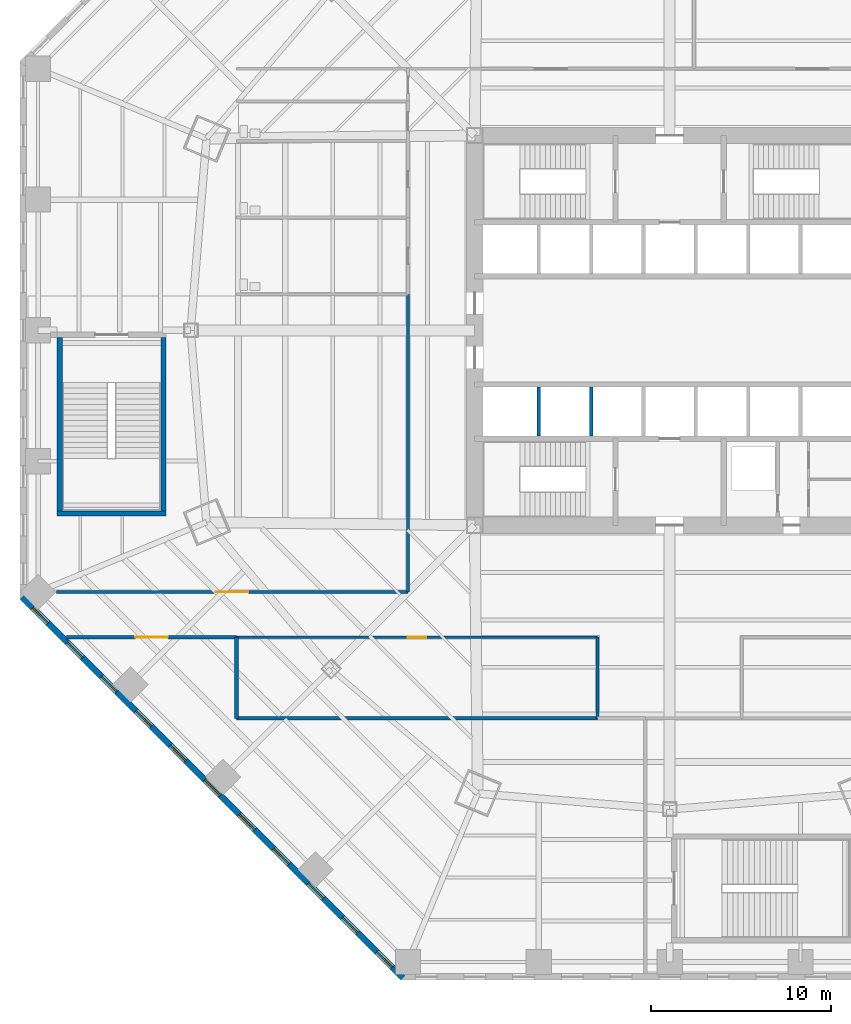
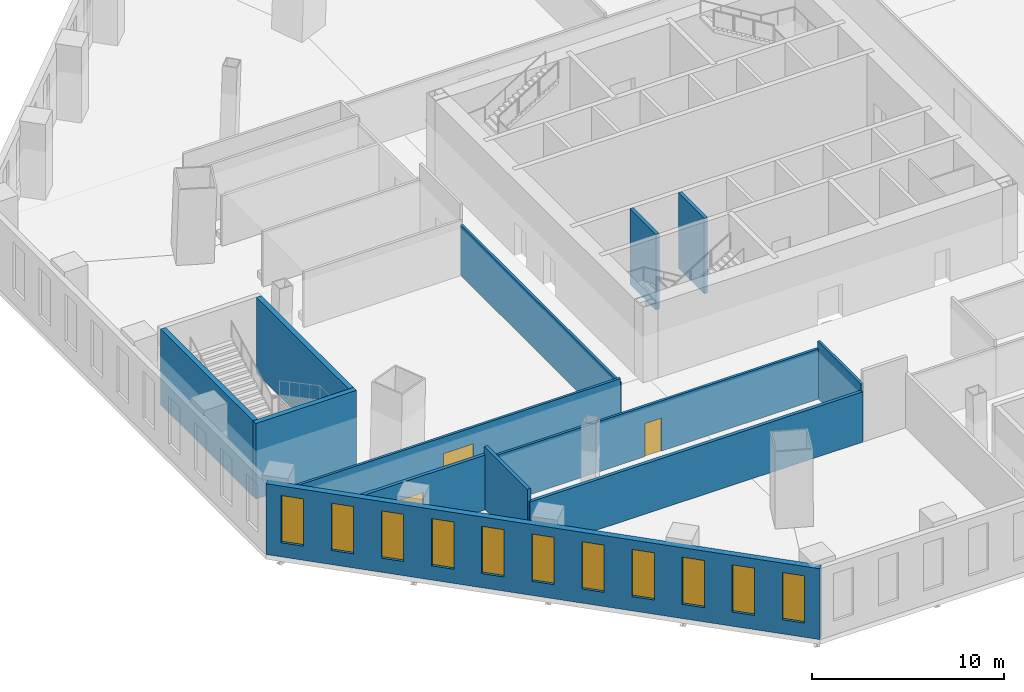
# One storey, part 8 of 19: 13 walls, 11 windows, 3 doors, 14 openings.
"""IFC4 building model written with IfcOpenShell, lengths in metres."""

from ifc_helpers import new_model, si_unit, direction, frame, frame_2d, origin, place, context, subcontext, project, spatial, rectangle, extrude, material, layer, layer_set, type_object, element, fill, save


model = new_model("IFC4")

# Units and contexts
model_context = context("Model", 3, precision=1e-05, world=origin(), true_north=direction((0.0, 1.0)))
body_context = subcontext(model_context, "Body", "Model", "MODEL_VIEW")
ifc_project = project(units=[si_unit("LENGTHUNIT", "METRE"), si_unit("AREAUNIT", "SQUARE_METRE"), si_unit("VOLUMEUNIT", "CUBIC_METRE"), si_unit("PLANEANGLEUNIT", "RADIAN"), si_unit("MASSUNIT", "GRAM", prefix="KILO")], contexts=[model_context])

# Site, building, storey
site_placement = place(None, origin())
site = spatial("IfcSite", under=ifc_project, at=site_placement, CompositionType="ELEMENT")
building_placement = place(site_placement, origin())
building = spatial("IfcBuilding", under=site, at=building_placement, Name="Mashrafa Tower", CompositionType="ELEMENT")
storey_placement = place(building_placement, frame((0.0, 0.0, 24.0)))
storey = spatial("IfcBuildingStorey", under=building, at=storey_placement, Name="L04", CompositionType="ELEMENT", Elevation=24.0)

# Walls
ifc_material_1 = material(Name="Concrete masonry unit", Category="masonry")
ifc_layer_1 = layer(ifc_material_1, 0.199951171875)
ifc_layer_set_1 = layer_set([ifc_layer_1], Name="Blockwork wall 200 2 hr")
wall_type_1 = type_object("IfcWallType", Name="Blockwork wall 200 2 hr", PredefinedType="PARTITIONING", material=ifc_layer_set_1)
wall_1_placement = place(storey_placement, frame((-3.9990234375, -21.5, 0.0), z_axis=(0.0, 0.0, 1.0), x_axis=(-1.0, 0.0, 0.0)))
element("IfcWall", 1, at=wall_1_placement, inside=storey, type_object=wall_type_1, Name="Blockwork wall L04-011", PredefinedType="PARTITIONING", context=body_context, shape_type="SweptSolid", body=[
    extrude(rectangle(XDim=20.0009765625, YDim=0.199951171875, at=frame_2d((10.00048828125, 0.0))), origin(), (0.0, 0.0, 1.0), 3.18994140625),
])
wall_2_placement = place(storey_placement, frame((-24.0, -21.5, 0.0), z_axis=(0.0, 0.0, 1.0), x_axis=(0.0, 1.0, 0.0)))
element("IfcWall", 2, at=wall_2_placement, inside=storey, type_object=wall_type_1, Name="Blockwork wall L04-012", PredefinedType="PARTITIONING", context=body_context, shape_type="SweptSolid", body=[
    extrude(rectangle(XDim=4.5, YDim=0.199951171875, at=frame_2d((2.25, 0.0))), origin(), (0.0, 0.0, 1.0), 3.961669921875),
])

# Wall, opening, door
wall_3_placement = place(storey_placement, frame((-24.0, -17.0, 0.0), z_axis=(0.0, 0.0, 1.0), x_axis=(-1.0, 0.0, 0.0)))
wall_3 = element("IfcWall", 3, at=wall_3_placement, inside=storey, type_object=wall_type_1, Name="Blockwork wall L04-013", PredefinedType="PARTITIONING", context=body_context, shape_type="SweptSolid", body=[
    extrude(rectangle(XDim=9.416748046875, YDim=0.199951171875, at=frame_2d((4.70849609375, 0.0))), origin(), (0.0, 0.0, 1.0), 3.47900390625),
])
opening_1_placement = place(wall_3_placement, frame((3.808349609375, 0.0, 0.0)))
opening_1 = element("IfcOpeningElement", 4, at=opening_1_placement, cuts=wall_3, Name="Opening 04.005", PredefinedType="OPENING", context=body_context, shape_type="SweptSolid", body=[
    extrude(rectangle(XDim=1.800048828125, YDim=2.39990234375, at=frame_2d((0.89990234375, 1.199951171875))), frame((0.0, 0.10986328125, 0.0), z_axis=(0.0, -1.0, 0.0), x_axis=(1.0, 0.0, 0.0)), (0.0, 0.0, 1.0), 0.219970703125),
])
ifc_material_2 = material(Name="Steel door", Category="steel")
door_type_1 = type_object("IfcDoorType", Name="Door pair 1800 x 2400 90 min", OperationType="DOUBLE_DOOR_SINGLE_SWING", PredefinedType="DOOR", material=ifc_material_2)
door_1_placement = place(opening_1_placement, origin())
door_1 = element("IfcDoor", 5, at=door_1_placement, inside=storey, type_object=door_type_1, Name="Podium Plant Room L04 door", OperationType="DOUBLE_DOOR_SINGLE_SWING", OverallHeight=2.39990234375, OverallWidth=1.800048828125, PredefinedType="DOOR", context=body_context, shape_type="SweptSolid", body=[
    extrude(rectangle(XDim=1.800048828125, YDim=2.39990234375, at=frame_2d((0.89990234375, 1.199951171875))), frame((0.0, 0.02490234375, 0.0), z_axis=(0.0, -1.0, 0.0), x_axis=(1.0, 0.0, 0.0)), (0.0, 0.0, 1.0), 0.050048828125),
])
fill(opening_1, door_1)

ifc_material_3 = material(Name="Gypsum board on steel studs", Category="steel")
ifc_layer_2 = layer(ifc_material_3, 0.14990234375)
ifc_layer_set_2 = layer_set([ifc_layer_2], Name="Corridor partition 150 1 hr")
wall_type_2 = type_object("IfcWallType", Name="Corridor partition 150 1 hr", PredefinedType="PARTITIONING", material=ifc_layer_set_2)
wall_4_placement = place(storey_placement, frame((-33.985595703125, -14.5, 0.0), z_axis=(0.0, 0.0, 1.0), x_axis=(1.0, 0.0, 0.0)))
wall_4 = element("IfcWall", 6, at=wall_4_placement, inside=storey, type_object=wall_type_2, Name="Corridor wall L04-019", PredefinedType="PARTITIONING", context=body_context, shape_type="SweptSolid", body=[
    extrude(rectangle(XDim=19.485595703125, YDim=0.14990234375, at=frame_2d((9.74267578125, 0.0))), origin(), (0.0, 0.0, 1.0), 3.448486328125),
])
opening_2_placement = place(wall_4_placement, frame((8.843017578125, 0.0, 0.0)))
opening_2 = element("IfcOpeningElement", 7, at=opening_2_placement, cuts=wall_4, Name="Opening 04.007", PredefinedType="OPENING", context=body_context, shape_type="SweptSolid", body=[
    extrude(rectangle(XDim=1.800048828125, YDim=2.39990234375, at=frame_2d((0.89990234375, 1.199951171875))), frame((0.0, 0.0849609375, 0.0), z_axis=(0.0, -1.0, 0.0), x_axis=(1.0, 0.0, 0.0)), (0.0, 0.0, 1.0), 0.169921875),
])
ifc_material_4 = material(Name="Timber door", Category="wood")
door_type_2 = type_object("IfcDoorType", Name="Door pair 1800 x 2400", OperationType="DOUBLE_DOOR_SINGLE_SWING", PredefinedType="DOOR", material=ifc_material_4)
door_2_placement = place(opening_2_placement, origin())
door_2 = element("IfcDoor", 8, at=door_2_placement, inside=storey, type_object=door_type_2, Name="Civic Meeting Room L04 door", OperationType="DOUBLE_DOOR_SINGLE_SWING", OverallHeight=2.39990234375, OverallWidth=1.800048828125, PredefinedType="DOOR", context=body_context, shape_type="SweptSolid", body=[
    extrude(rectangle(XDim=1.800048828125, YDim=2.39990234375, at=frame_2d((0.89990234375, 1.199951171875))), frame((0.0, 0.02490234375, 0.0), z_axis=(0.0, -1.0, 0.0), x_axis=(1.0, 0.0, 0.0)), (0.0, 0.0, 1.0), 0.050048828125),
])
fill(opening_2, door_2)

# Walls
wall_5_placement = place(storey_placement, frame((-14.5, -14.5, 0.0), z_axis=(0.0, 0.0, 1.0), x_axis=(0.0, 1.0, 0.0)))
element("IfcWall", 9, at=wall_5_placement, inside=storey, type_object=wall_type_2, Name="Corridor wall L04-020", PredefinedType="PARTITIONING", context=body_context, shape_type="SweptSolid", body=[
    extrude(rectangle(XDim=16.5, YDim=0.14990234375, at=frame_2d((8.25, 0.0))), origin(), (0.0, 0.0, 1.0), 3.18994140625),
])
wall_6_placement = place(storey_placement, frame((-4.0, -21.5, 0.0), z_axis=(0.0, 0.0, 1.0), x_axis=(0.0, 1.0, 0.0)))
element("IfcWall", 10, at=wall_6_placement, inside=storey, type_object=wall_type_2, Name="Corridor wall L04-027", PredefinedType="PARTITIONING", context=body_context, shape_type="SweptSolid", body=[
    extrude(rectangle(XDim=4.5, YDim=0.14990234375, at=frame_2d((2.25, 0.0))), origin(), (0.0, 0.0, 1.0), 3.644287109375),
])

# Wall, opening, door
wall_7_placement = place(storey_placement, frame((-4.0, -17.0, 0.0), z_axis=(0.0, 0.0, 1.0), x_axis=(-1.0, 0.0, 0.0)))
wall_7 = element("IfcWall", 11, at=wall_7_placement, inside=storey, type_object=wall_type_2, Name="Corridor wall L04-028", PredefinedType="PARTITIONING", context=body_context, shape_type="SweptSolid", body=[
    extrude(rectangle(XDim=20.0, YDim=0.14990234375, at=frame_2d((10.0, 0.0))), origin(), (0.0, 0.0, 1.0), 3.18994140625),
])
opening_3_placement = place(wall_7_placement, frame((9.5, 0.0, 0.0)))
opening_3 = element("IfcOpeningElement", 12, at=opening_3_placement, cuts=wall_7, Name="Opening 04.011", PredefinedType="OPENING", context=body_context, shape_type="SweptSolid", body=[
    extrude(rectangle(XDim=1.0, YDim=2.10009765625, at=frame_2d((0.5, 1.050048828125))), frame((0.0, 0.0849609375, 0.0), z_axis=(0.0, -1.0, 0.0), x_axis=(1.0, 0.0, 0.0)), (0.0, 0.0, 1.0), 0.169921875),
])
ifc_material_5 = material(Name="Timber door", Category="wood")
door_type_3 = type_object("IfcDoorType", Name="Door 1000 x 2100", OperationType="USERDEFINED", PredefinedType="DOOR", material=ifc_material_5)
door_3_placement = place(opening_3_placement, origin())
door_3 = element("IfcDoor", 13, at=door_3_placement, inside=storey, type_object=door_type_3, Name="Civic Interview Room L04 door", OperationType="SINGLE_SWING_LEFT", OverallHeight=2.10009765625, OverallWidth=1.0, PredefinedType="DOOR", context=body_context, shape_type="SweptSolid", body=[
    extrude(rectangle(XDim=1.0, YDim=2.10009765625, at=frame_2d((0.5, 1.050048828125))), frame((0.0, 0.02490234375, 0.0), z_axis=(0.0, -1.0, 0.0), x_axis=(1.0, 0.0, 0.0)), (0.0, 0.0, 1.0), 0.050048828125),
])
fill(opening_3, door_3)

# Wall, openings, windows
ifc_material_6 = material(Name="Riyadh limestone cladding on blockwork", Category="masonry")
ifc_layer_3 = layer(ifc_material_6, 0.35009765625)
ifc_layer_set_3 = layer_set([ifc_layer_3], Name="Limestone-clad external wall 350")
wall_type_3 = type_object("IfcWallType", Name="Limestone-clad external wall 350", PredefinedType="SOLIDWALL", material=ifc_layer_set_3)
wall_8_placement = place(storey_placement, frame((-35.876220703125, -14.787841796875, 0.0), z_axis=(0.0, 0.0, 1.0), x_axis=(0.707106781187, -0.707106781187, 0.0)))
wall_8 = element("IfcWall", 14, at=wall_8_placement, inside=storey, type_object=wall_type_3, Name="Limestone-clad external wall L04 south-west", PredefinedType="SOLIDWALL", context=body_context, shape_type="SweptSolid", body=[
    extrude(rectangle(XDim=29.823486328125, YDim=0.35009765625, at=frame_2d((14.91162109375, 0.0))), origin(), (0.0, 0.0, 1.0), 4.5),
])
opening_4_placement = place(wall_8_placement, frame((0.821533203125, 0.0, 0.89990234375)))
opening_4 = element("IfcOpeningElement", 15, at=opening_4_placement, cuts=wall_8, Name="Opening W3", PredefinedType="OPENING", context=body_context, shape_type="SweptSolid", body=[
    extrude(rectangle(XDim=1.199951171875, YDim=3.0, at=frame_2d((0.60009765625, 1.5))), frame((0.0, 0.18505859375, 0.0), z_axis=(0.0, -1.0, 0.0), x_axis=(1.0, 0.0, 0.0)), (0.0, 0.0, 1.0), 0.3701171875),
])
opening_5_placement = place(wall_8_placement, frame((3.51953125, 0.0, 0.89990234375)))
opening_5 = element("IfcOpeningElement", 16, at=opening_5_placement, cuts=wall_8, Name="Opening W3", PredefinedType="OPENING", context=body_context, shape_type="SweptSolid", body=[
    extrude(rectangle(XDim=1.199951171875, YDim=3.0, at=frame_2d((0.60009765625, 1.5))), frame((0.0, 0.18505859375, 0.0), z_axis=(0.0, -1.0, 0.0), x_axis=(1.0, 0.0, 0.0)), (0.0, 0.0, 1.0), 0.3701171875),
])
opening_6_placement = place(wall_8_placement, frame((6.217529296875, 0.0, 0.89990234375)))
opening_6 = element("IfcOpeningElement", 17, at=opening_6_placement, cuts=wall_8, Name="Opening W3", PredefinedType="OPENING", context=body_context, shape_type="SweptSolid", body=[
    extrude(rectangle(XDim=1.199951171875, YDim=3.0, at=frame_2d((0.60009765625, 1.5))), frame((0.0, 0.18505859375, 0.0), z_axis=(0.0, -1.0, 0.0), x_axis=(1.0, 0.0, 0.0)), (0.0, 0.0, 1.0), 0.3701171875),
])
opening_7_placement = place(wall_8_placement, frame((8.91552734375, 0.0, 0.89990234375)))
opening_7 = element("IfcOpeningElement", 18, at=opening_7_placement, cuts=wall_8, Name="Opening W3", PredefinedType="OPENING", context=body_context, shape_type="SweptSolid", body=[
    extrude(rectangle(XDim=1.199951171875, YDim=3.0, at=frame_2d((0.60009765625, 1.5))), frame((0.0, 0.18505859375, 0.0), z_axis=(0.0, -1.0, 0.0), x_axis=(1.0, 0.0, 0.0)), (0.0, 0.0, 1.0), 0.3701171875),
])
opening_8_placement = place(wall_8_placement, frame((11.61376953125, 0.0, 0.89990234375)))
opening_8 = element("IfcOpeningElement", 19, at=opening_8_placement, cuts=wall_8, Name="Opening W3", PredefinedType="OPENING", context=body_context, shape_type="SweptSolid", body=[
    extrude(rectangle(XDim=1.199951171875, YDim=3.0, at=frame_2d((0.60009765625, 1.5))), frame((0.0, 0.18505859375, 0.0), z_axis=(0.0, -1.0, 0.0), x_axis=(1.0, 0.0, 0.0)), (0.0, 0.0, 1.0), 0.3701171875),
])
opening_9_placement = place(wall_8_placement, frame((14.311767578125, 0.0, 0.89990234375)))
opening_9 = element("IfcOpeningElement", 20, at=opening_9_placement, cuts=wall_8, Name="Opening W3", PredefinedType="OPENING", context=body_context, shape_type="SweptSolid", body=[
    extrude(rectangle(XDim=1.199951171875, YDim=3.0, at=frame_2d((0.60009765625, 1.5))), frame((0.0, 0.18505859375, 0.0), z_axis=(0.0, -1.0, 0.0), x_axis=(1.0, 0.0, 0.0)), (0.0, 0.0, 1.0), 0.3701171875),
])
opening_10_placement = place(wall_8_placement, frame((17.009765625, 0.0, 0.89990234375)))
opening_10 = element("IfcOpeningElement", 21, at=opening_10_placement, cuts=wall_8, Name="Opening W3", PredefinedType="OPENING", context=body_context, shape_type="SweptSolid", body=[
    extrude(rectangle(XDim=1.199951171875, YDim=3.0, at=frame_2d((0.60009765625, 1.5))), frame((0.0, 0.18505859375, 0.0), z_axis=(0.0, -1.0, 0.0), x_axis=(1.0, 0.0, 0.0)), (0.0, 0.0, 1.0), 0.3701171875),
])
opening_11_placement = place(wall_8_placement, frame((19.707763671875, 0.0, 0.89990234375)))
opening_11 = element("IfcOpeningElement", 22, at=opening_11_placement, cuts=wall_8, Name="Opening W3", PredefinedType="OPENING", context=body_context, shape_type="SweptSolid", body=[
    extrude(rectangle(XDim=1.199951171875, YDim=3.0, at=frame_2d((0.60009765625, 1.5))), frame((0.0, 0.18505859375, 0.0), z_axis=(0.0, -1.0, 0.0), x_axis=(1.0, 0.0, 0.0)), (0.0, 0.0, 1.0), 0.3701171875),
])
opening_12_placement = place(wall_8_placement, frame((22.40576171875, 0.0, 0.89990234375)))
opening_12 = element("IfcOpeningElement", 23, at=opening_12_placement, cuts=wall_8, Name="Opening W3", PredefinedType="OPENING", context=body_context, shape_type="SweptSolid", body=[
    extrude(rectangle(XDim=1.199951171875, YDim=3.0, at=frame_2d((0.60009765625, 1.5))), frame((0.0, 0.18505859375, 0.0), z_axis=(0.0, -1.0, 0.0), x_axis=(1.0, 0.0, 0.0)), (0.0, 0.0, 1.0), 0.3701171875),
])
opening_13_placement = place(wall_8_placement, frame((25.103759765625, 0.0, 0.89990234375)))
opening_13 = element("IfcOpeningElement", 24, at=opening_13_placement, cuts=wall_8, Name="Opening W3", PredefinedType="OPENING", context=body_context, shape_type="SweptSolid", body=[
    extrude(rectangle(XDim=1.199951171875, YDim=3.0, at=frame_2d((0.60009765625, 1.5))), frame((0.0, 0.18505859375, 0.0), z_axis=(0.0, -1.0, 0.0), x_axis=(1.0, 0.0, 0.0)), (0.0, 0.0, 1.0), 0.3701171875),
])
opening_14_placement = place(wall_8_placement, frame((27.8017578125, 0.0, 0.89990234375)))
opening_14 = element("IfcOpeningElement", 25, at=opening_14_placement, cuts=wall_8, Name="Opening W3", PredefinedType="OPENING", context=body_context, shape_type="SweptSolid", body=[
    extrude(rectangle(XDim=1.199951171875, YDim=3.0, at=frame_2d((0.60009765625, 1.5))), frame((0.0, 0.18505859375, 0.0), z_axis=(0.0, -1.0, 0.0), x_axis=(1.0, 0.0, 0.0)), (0.0, 0.0, 1.0), 0.3701171875),
])
ifc_material_7 = material(Name="Bronze-framed insulated glazing", Category="glass")
window_type = type_object("IfcWindowType", Name="Tall punched window 1200 x 3000", PartitioningType="DOUBLE_PANEL_HORIZONTAL", PredefinedType="WINDOW", material=ifc_material_7)
window_1_placement = place(opening_4_placement, origin())
window_1 = element("IfcWindow", 26, at=window_1_placement, inside=storey, type_object=window_type, Name="Window W3 L04 south-west bay 1", OverallHeight=3.0, OverallWidth=1.199951171875, PartitioningType="SINGLE_PANEL", PredefinedType="WINDOW", context=body_context, shape_type="SweptSolid", body=[
    extrude(rectangle(XDim=1.199951171875, YDim=3.0, at=frame_2d((0.60009765625, 1.5))), frame((0.0, 0.030029296875, 0.0), z_axis=(0.0, -1.0, 0.0), x_axis=(1.0, 0.0, 0.0)), (0.0, 0.0, 1.0), 0.06005859375),
])
fill(opening_4, window_1)
window_2_placement = place(opening_5_placement, origin())
window_2 = element("IfcWindow", 27, at=window_2_placement, inside=storey, type_object=window_type, Name="Window W3 L04 south-west bay 2", OverallHeight=3.0, OverallWidth=1.199951171875, PartitioningType="SINGLE_PANEL", PredefinedType="WINDOW", context=body_context, shape_type="SweptSolid", body=[
    extrude(rectangle(XDim=1.199951171875, YDim=3.0, at=frame_2d((0.60009765625, 1.5))), frame((0.0, 0.030029296875, 0.0), z_axis=(0.0, -1.0, 0.0), x_axis=(1.0, 0.0, 0.0)), (0.0, 0.0, 1.0), 0.06005859375),
])
fill(opening_5, window_2)
window_3_placement = place(opening_6_placement, origin())
window_3 = element("IfcWindow", 28, at=window_3_placement, inside=storey, type_object=window_type, Name="Window W3 L04 south-west bay 3", OverallHeight=3.0, OverallWidth=1.199951171875, PartitioningType="SINGLE_PANEL", PredefinedType="WINDOW", context=body_context, shape_type="SweptSolid", body=[
    extrude(rectangle(XDim=1.199951171875, YDim=3.0, at=frame_2d((0.60009765625, 1.5))), frame((0.0, 0.030029296875, 0.0), z_axis=(0.0, -1.0, 0.0), x_axis=(1.0, 0.0, 0.0)), (0.0, 0.0, 1.0), 0.06005859375),
])
fill(opening_6, window_3)
window_4_placement = place(opening_7_placement, origin())
window_4 = element("IfcWindow", 29, at=window_4_placement, inside=storey, type_object=window_type, Name="Window W3 L04 south-west bay 4", OverallHeight=3.0, OverallWidth=1.199951171875, PartitioningType="SINGLE_PANEL", PredefinedType="WINDOW", context=body_context, shape_type="SweptSolid", body=[
    extrude(rectangle(XDim=1.199951171875, YDim=3.0, at=frame_2d((0.60009765625, 1.5))), frame((0.0, 0.030029296875, 0.0), z_axis=(0.0, -1.0, 0.0), x_axis=(1.0, 0.0, 0.0)), (0.0, 0.0, 1.0), 0.06005859375),
])
fill(opening_7, window_4)
window_5_placement = place(opening_8_placement, origin())
window_5 = element("IfcWindow", 30, at=window_5_placement, inside=storey, type_object=window_type, Name="Window W3 L04 south-west bay 5", OverallHeight=3.0, OverallWidth=1.199951171875, PartitioningType="SINGLE_PANEL", PredefinedType="WINDOW", context=body_context, shape_type="SweptSolid", body=[
    extrude(rectangle(XDim=1.199951171875, YDim=3.0, at=frame_2d((0.60009765625, 1.5))), frame((0.0, 0.030029296875, 0.0), z_axis=(0.0, -1.0, 0.0), x_axis=(1.0, 0.0, 0.0)), (0.0, 0.0, 1.0), 0.06005859375),
])
fill(opening_8, window_5)
window_6_placement = place(opening_9_placement, origin())
window_6 = element("IfcWindow", 31, at=window_6_placement, inside=storey, type_object=window_type, Name="Window W3 L04 south-west bay 6", OverallHeight=3.0, OverallWidth=1.199951171875, PartitioningType="SINGLE_PANEL", PredefinedType="WINDOW", context=body_context, shape_type="SweptSolid", body=[
    extrude(rectangle(XDim=1.199951171875, YDim=3.0, at=frame_2d((0.60009765625, 1.5))), frame((0.0, 0.030029296875, 0.0), z_axis=(0.0, -1.0, 0.0), x_axis=(1.0, 0.0, 0.0)), (0.0, 0.0, 1.0), 0.06005859375),
])
fill(opening_9, window_6)
window_7_placement = place(opening_10_placement, origin())
window_7 = element("IfcWindow", 32, at=window_7_placement, inside=storey, type_object=window_type, Name="Window W3 L04 south-west bay 7", OverallHeight=3.0, OverallWidth=1.199951171875, PartitioningType="SINGLE_PANEL", PredefinedType="WINDOW", context=body_context, shape_type="SweptSolid", body=[
    extrude(rectangle(XDim=1.199951171875, YDim=3.0, at=frame_2d((0.60009765625, 1.5))), frame((0.0, 0.030029296875, 0.0), z_axis=(0.0, -1.0, 0.0), x_axis=(1.0, 0.0, 0.0)), (0.0, 0.0, 1.0), 0.06005859375),
])
fill(opening_10, window_7)
window_8_placement = place(opening_11_placement, origin())
window_8 = element("IfcWindow", 33, at=window_8_placement, inside=storey, type_object=window_type, Name="Window W3 L04 south-west bay 8", OverallHeight=3.0, OverallWidth=1.199951171875, PartitioningType="SINGLE_PANEL", PredefinedType="WINDOW", context=body_context, shape_type="SweptSolid", body=[
    extrude(rectangle(XDim=1.199951171875, YDim=3.0, at=frame_2d((0.60009765625, 1.5))), frame((0.0, 0.030029296875, 0.0), z_axis=(0.0, -1.0, 0.0), x_axis=(1.0, 0.0, 0.0)), (0.0, 0.0, 1.0), 0.06005859375),
])
fill(opening_11, window_8)
window_9_placement = place(opening_12_placement, origin())
window_9 = element("IfcWindow", 34, at=window_9_placement, inside=storey, type_object=window_type, Name="Window W3 L04 south-west bay 9", OverallHeight=3.0, OverallWidth=1.199951171875, PartitioningType="SINGLE_PANEL", PredefinedType="WINDOW", context=body_context, shape_type="SweptSolid", body=[
    extrude(rectangle(XDim=1.199951171875, YDim=3.0, at=frame_2d((0.60009765625, 1.5))), frame((0.0, 0.030029296875, 0.0), z_axis=(0.0, -1.0, 0.0), x_axis=(1.0, 0.0, 0.0)), (0.0, 0.0, 1.0), 0.06005859375),
])
fill(opening_12, window_9)
window_10_placement = place(opening_13_placement, origin())
window_10 = element("IfcWindow", 35, at=window_10_placement, inside=storey, type_object=window_type, Name="Window W3 L04 south-west bay 10", OverallHeight=3.0, OverallWidth=1.199951171875, PartitioningType="SINGLE_PANEL", PredefinedType="WINDOW", context=body_context, shape_type="SweptSolid", body=[
    extrude(rectangle(XDim=1.199951171875, YDim=3.0, at=frame_2d((0.60009765625, 1.5))), frame((0.0, 0.030029296875, 0.0), z_axis=(0.0, -1.0, 0.0), x_axis=(1.0, 0.0, 0.0)), (0.0, 0.0, 1.0), 0.06005859375),
])
fill(opening_13, window_10)
window_11_placement = place(opening_14_placement, origin())
window_11 = element("IfcWindow", 36, at=window_11_placement, inside=storey, type_object=window_type, Name="Window W3 L04 south-west bay 11", OverallHeight=3.0, OverallWidth=1.199951171875, PartitioningType="SINGLE_PANEL", PredefinedType="WINDOW", context=body_context, shape_type="SweptSolid", body=[
    extrude(rectangle(XDim=1.199951171875, YDim=3.0, at=frame_2d((0.60009765625, 1.5))), frame((0.0, 0.030029296875, 0.0), z_axis=(0.0, -1.0, 0.0), x_axis=(1.0, 0.0, 0.0)), (0.0, 0.0, 1.0), 0.06005859375),
])
fill(opening_14, window_11)

# Walls
ifc_material_8 = material(Name="Gypsum shaft wall on steel studs", Category="steel")
ifc_layer_4 = layer(ifc_material_8, 0.199951171875)
ifc_layer_set_4 = layer_set([ifc_layer_4], Name="Shaft divider wall 200 2 hr")
wall_type_4 = type_object("IfcWallType", Name="Shaft divider wall 200 2 hr", PredefinedType="PARTITIONING", material=ifc_layer_set_4)
for number, where, z_axis, x_axis, name in (
    (37, (-7.25, -5.85009765625, 0.0), (0.0, 0.0, 1.0), (0.0, 1.0, 0.0), "Shaft divider wall S1 L04"),
    (38, (-4.35009765625, -5.85009765625, 0.0), (0.0, 0.0, 1.0), (0.0, 1.0, 0.0), "Shaft divider wall S2 L04"),
):
    element("IfcWall", number, at=place(storey_placement, frame(where, z_axis=z_axis, x_axis=x_axis)), inside=storey, type_object=wall_type_4, Name=name, PredefinedType="PARTITIONING", context=body_context, shape_type="SweptSolid", body=[
        extrude(rectangle(XDim=2.7001953125, YDim=0.199951171875, at=frame_2d((1.35009765625, 0.0))), origin(), (0.0, 0.0, 1.0), 4.800048828125),
    ])
ifc_material_9 = material(Name="Concrete C35/45", Category="concrete")
ifc_layer_5 = layer(ifc_material_9, 0.300048828125)
ifc_layer_set_5 = layer_set([ifc_layer_5], Name="Stair core wall 300 3 hr")
wall_type_5 = type_object("IfcWallType", Name="Stair core wall 300 3 hr", PredefinedType="SOLIDWALL", material=ifc_layer_set_5)
wall_9_placement = place(storey_placement, frame((-33.949951171875, -10.14990234375, 0.0), z_axis=(0.0, 0.0, 1.0), x_axis=(1.0, 0.0, 0.0)))
element("IfcWall", 39, at=wall_9_placement, inside=storey, type_object=wall_type_5, Name="Stair P3 core wall S L04", PredefinedType="SOLIDWALL", context=body_context, shape_type="SweptSolid", body=[
    extrude(rectangle(XDim=6.050048828125, YDim=0.300048828125, at=frame_2d((3.02490234375, 0.0))), origin(), (0.0, 0.0, 1.0), 4.800048828125),
])
for number, where, z_axis, x_axis, name in (
    (40, (-33.800048828125, -0.39990234375, 0.0), (0.0, 0.0, 1.0), (0.0, -1.0, 0.0), "Stair P3 core wall W L04"),
    (41, (-28.050048828125, -10.0, 0.0), (0.0, 0.0, 1.0), (0.0, 1.0, 0.0), "Stair P3 core wall E L04"),
):
    element("IfcWall", number, at=place(storey_placement, frame(where, z_axis=z_axis, x_axis=x_axis)), inside=storey, type_object=wall_type_5, Name=name, PredefinedType="SOLIDWALL", context=body_context, shape_type="SweptSolid", body=[
        extrude(rectangle(XDim=9.60009765625, YDim=0.300048828125, at=frame_2d((4.800048828125, 0.0))), origin(), (0.0, 0.0, 1.0), 4.800048828125),
    ])

save(model, "model.ifc")
